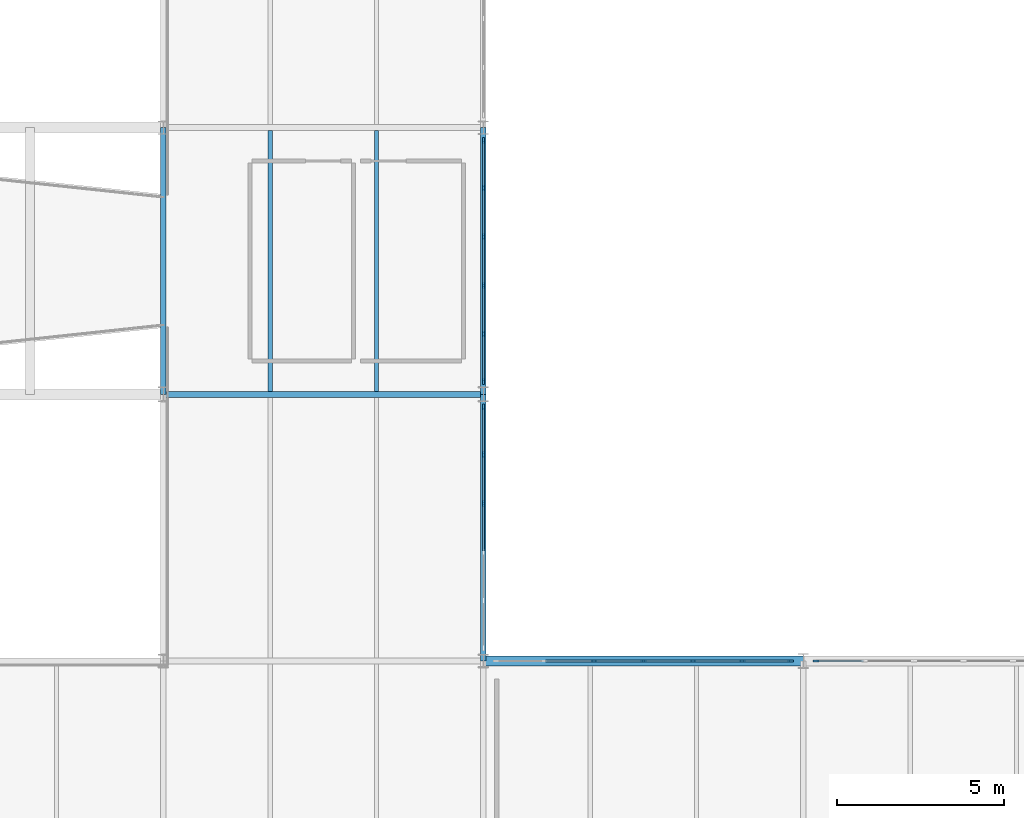
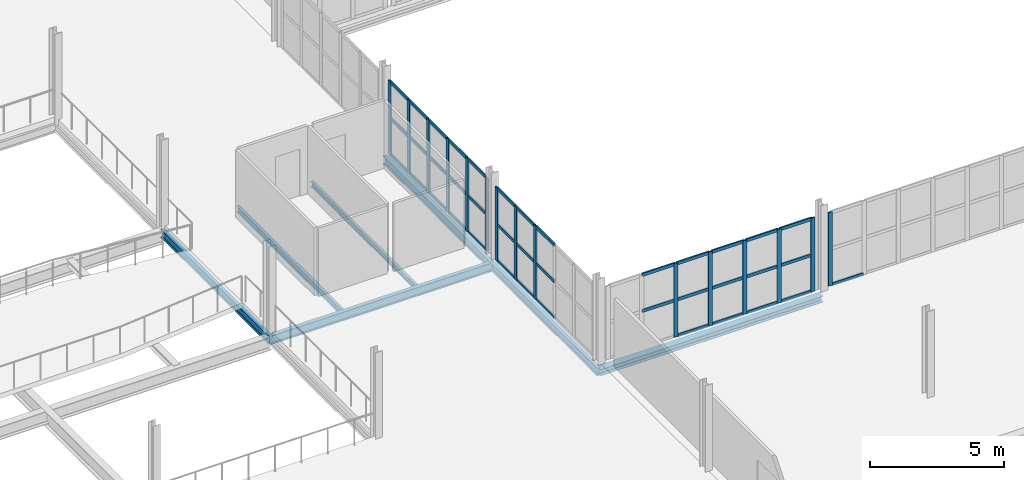
# One storey, part 44 of 85: 54 members, 7 beams, 4 elements without a shape of their own.
"""IFC4 building model written with IfcOpenShell, lengths in metres."""

from ifc_helpers import new_model, si_unit, direction, frame, origin, origin_2d, place, context, subcontext, project, spatial, rectangle, i_section, extrude, material, layer, layer_set, material_profile, profile_set, type_object, element, aggregate, save


model = new_model("IFC4")

# Units and contexts
model_context = context("Model", 3, precision=1e-05, world=origin(), true_north=direction((0.0, 1.0)))
body_context = subcontext(model_context, "Body", "Model", "MODEL_VIEW")
ifc_project = project(units=[si_unit("LENGTHUNIT", "METRE"), si_unit("AREAUNIT", "SQUARE_METRE"), si_unit("VOLUMEUNIT", "CUBIC_METRE"), si_unit("PLANEANGLEUNIT", "RADIAN"), si_unit("MASSUNIT", "GRAM", prefix="KILO")], contexts=[model_context])

# Site, building, storey
site_placement = place(None, origin())
site = spatial("IfcSite", under=ifc_project, at=site_placement, CompositionType="ELEMENT")
building_placement = place(site_placement, origin())
building = spatial("IfcBuilding", under=site, at=building_placement, Name="Alderhovde Museum", CompositionType="ELEMENT")
storey_placement = place(building_placement, frame((0.0, 0.0, 8.699951171875)))
storey = spatial("IfcBuildingStorey", under=building, at=storey_placement, Name="L02", CompositionType="ELEMENT", Elevation=8.699951171875)

# Beams
ifc_material_1 = material(Name="Steel S355J2", Category="steel")
ifc_material_profile_1 = material_profile(ifc_material_1, i_section(OverallWidth=0.169921875, OverallDepth=0.360107421875, WebThickness=0.008056640625, FlangeThickness=0.0126953125, FilletRadius=0.01806640625, at=origin_2d()), Name="IPE 360")
ifc_profile_set_1 = profile_set([ifc_material_profile_1], Name="Steel S355J2")
beam_type_1 = type_object("IfcBeamType", Name="BM-IPE360", PredefinedType="BEAM", material=ifc_profile_set_1)
for number, where, z_axis, x_axis, name in (
    (1, (105.60009765625, 56.0, -0.43994140625), (0.0, 1.0, 0.0), (-1.0, 0.0, 0.0), "L02 Grid Beam X=105.6 (56.0 TO 64.0)"),
    (2, (115.199951171875, 48.0, -0.43994140625), (0.0, 1.0, 0.0), (-1.0, 0.0, 0.0), "L02 Grid Beam X=115.2 (48.0 TO 56.0)"),
    (3, (115.199951171875, 56.0, -0.43994140625), (0.0, 1.0, 0.0), (-1.0, 0.0, 0.0), "L02 Grid Beam X=115.2 (56.0 TO 64.0)"),
):
    element("IfcBeam", number, at=place(storey_placement, frame(where, z_axis=z_axis, x_axis=x_axis)), inside=storey, type_object=beam_type_1, Name=name, PredefinedType="BEAM", context=body_context, shape_type="SweptSolid", body=[
        extrude(i_section(OverallWidth=0.169921875, OverallDepth=0.360107421875, WebThickness=0.008056640625, FlangeThickness=0.0126953125, FilletRadius=0.01806640625, at=origin_2d()), origin(), (0.0, 0.0, 1.0), 8.0),
    ])
ifc_material_2 = material(Name="Steel S355J2", Category="steel")
ifc_material_profile_2 = material_profile(ifc_material_2, i_section(OverallWidth=0.179931640625, OverallDepth=0.39990234375, WebThickness=0.008544921875, FlangeThickness=0.013427734375, FilletRadius=0.02099609375, at=origin_2d()), Name="IPE 400")
ifc_profile_set_2 = profile_set([ifc_material_profile_2], Name="Steel S355J2")
beam_type_2 = type_object("IfcBeamType", Name="BM-IPE400", PredefinedType="BEAM", material=ifc_profile_set_2)
beam_1_placement = place(storey_placement, frame((105.60009765625, 56.0, -0.4599609375), z_axis=(1.0, 0.0, 0.0), x_axis=(0.0, 1.0, 0.0)))
element("IfcBeam", 4, at=beam_1_placement, inside=storey, type_object=beam_type_2, Name="L02 Grid Beam Y=56.0 (105.6 TO 115.2)", PredefinedType="BEAM", context=body_context, shape_type="SweptSolid", body=[
    extrude(i_section(OverallWidth=0.179931640625, OverallDepth=0.39990234375, WebThickness=0.008544921875, FlangeThickness=0.013427734375, FilletRadius=0.02099609375, at=origin_2d()), origin(), (0.0, 0.0, 1.0), 9.599853515625),
])

# Curtain wall, members
ifc_material_3 = material(Name="Triple-Glazed Bronze-Anodised Curtain Wall", Category="glass")
ifc_layer_1 = layer(ifc_material_3, 0.179931640625)
ifc_layer_set_1 = layer_set([ifc_layer_1], Name="Triple-Glazed Bronze-Anodised Curtain Wall")
curtain_wall_type_1 = type_object("IfcCurtainWallType", Name="CW-UNIT-730x336", PredefinedType="USERDEFINED", material=ifc_layer_set_1)
curtain_wall_1_placement = place(storey_placement, origin())
curtain_wall_1 = element("IfcCurtainWall", 5, at=curtain_wall_1_placement, inside=storey, type_object=curtain_wall_type_1, Name="L02 Unitised Curtain Wall 45", ObjectType="UNITISED CURTAIN WALL", PredefinedType="USERDEFINED")
ifc_material_4 = material(Name="Bronze-Anodised Aluminium EN AW-6063-T6", Category="aluminium")
ifc_material_profile_3 = material_profile(ifc_material_4, rectangle(XDim=0.06494140625, YDim=0.179931640625, at=origin_2d()), Name="MULLION 65x180")
ifc_profile_set_3 = profile_set([ifc_material_profile_3], Name="Bronze-Anodised Aluminium EN AW-6063-T6")
member_type_1 = type_object("IfcMemberType", Name="CWM-65x180", PredefinedType="MULLION", material=ifc_profile_set_3)
member_1_placement = place(storey_placement, frame((115.199951171875, 52.72998046875, 0.0), z_axis=(0.0, 0.0, 1.0), x_axis=(-1.0, 0.0, 0.0)))
member_1 = element("IfcMember", 6, at=member_1_placement, type_object=member_type_1, Name="CW14 mullion 4", PredefinedType="MULLION", context=body_context, shape_type="SweptSolid", body=[
    extrude(rectangle(XDim=0.06494140625, YDim=0.179931640625, at=origin_2d()), origin(), (0.0, 0.0, 1.0), 3.360107421875),
])
member_2_placement = place(storey_placement, frame((115.199951171875, 54.18994140625, 0.0), z_axis=(0.0, 0.0, 1.0), x_axis=(-1.0, 0.0, 0.0)))
member_2 = element("IfcMember", 7, at=member_2_placement, type_object=member_type_1, Name="CW14 mullion 5", PredefinedType="MULLION", context=body_context, shape_type="SweptSolid", body=[
    extrude(rectangle(XDim=0.06494140625, YDim=0.179931640625, at=origin_2d()), origin(), (0.0, 0.0, 1.0), 3.360107421875),
])
member_3_placement = place(storey_placement, frame((115.199951171875, 55.617431640625, 0.0), z_axis=(0.0, 0.0, 1.0), x_axis=(-1.0, 0.0, 0.0)))
member_3 = element("IfcMember", 8, at=member_3_placement, type_object=member_type_1, Name="CW14 mullion 6", PredefinedType="MULLION", context=body_context, shape_type="SweptSolid", body=[
    extrude(rectangle(XDim=0.06494140625, YDim=0.179931640625, at=origin_2d()), origin(), (0.0, 0.0, 1.0), 3.360107421875),
])

curtain_wall_2_placement = place(storey_placement, origin())
curtain_wall_2 = element("IfcCurtainWall", 9, at=curtain_wall_2_placement, inside=storey, type_object=curtain_wall_type_1, Name="L02 Unitised Curtain Wall 46", ObjectType="UNITISED CURTAIN WALL", PredefinedType="USERDEFINED")
member_4_placement = place(storey_placement, frame((115.199951171875, 56.382568359375, 0.0), z_axis=(0.0, 0.0, 1.0), x_axis=(-1.0, 0.0, 0.0)))
member_4 = element("IfcMember", 10, at=member_4_placement, type_object=member_type_1, Name="CW14 mullion 1", PredefinedType="MULLION", context=body_context, shape_type="SweptSolid", body=[
    extrude(rectangle(XDim=0.06494140625, YDim=0.179931640625, at=origin_2d()), origin(), (0.0, 0.0, 1.0), 3.360107421875),
])
member_5_placement = place(storey_placement, frame((115.199951171875, 57.81005859375, 0.0), z_axis=(0.0, 0.0, 1.0), x_axis=(-1.0, 0.0, 0.0)))
member_5 = element("IfcMember", 11, at=member_5_placement, type_object=member_type_1, Name="CW14 mullion 2", PredefinedType="MULLION", context=body_context, shape_type="SweptSolid", body=[
    extrude(rectangle(XDim=0.06494140625, YDim=0.179931640625, at=origin_2d()), origin(), (0.0, 0.0, 1.0), 3.360107421875),
])
member_6_placement = place(storey_placement, frame((115.199951171875, 59.27001953125, 0.0), z_axis=(0.0, 0.0, 1.0), x_axis=(-1.0, 0.0, 0.0)))
member_6 = element("IfcMember", 12, at=member_6_placement, type_object=member_type_1, Name="CW14 mullion 3", PredefinedType="MULLION", context=body_context, shape_type="SweptSolid", body=[
    extrude(rectangle(XDim=0.06494140625, YDim=0.179931640625, at=origin_2d()), origin(), (0.0, 0.0, 1.0), 3.360107421875),
])
member_7_placement = place(storey_placement, frame((115.199951171875, 60.72998046875, 0.0), z_axis=(0.0, 0.0, 1.0), x_axis=(-1.0, 0.0, 0.0)))
member_7 = element("IfcMember", 13, at=member_7_placement, type_object=member_type_1, Name="CW14 mullion 4", PredefinedType="MULLION", context=body_context, shape_type="SweptSolid", body=[
    extrude(rectangle(XDim=0.06494140625, YDim=0.179931640625, at=origin_2d()), origin(), (0.0, 0.0, 1.0), 3.360107421875),
])
member_8_placement = place(storey_placement, frame((115.199951171875, 62.18994140625, 0.0), z_axis=(0.0, 0.0, 1.0), x_axis=(-1.0, 0.0, 0.0)))
member_8 = element("IfcMember", 14, at=member_8_placement, type_object=member_type_1, Name="CW14 mullion 5", PredefinedType="MULLION", context=body_context, shape_type="SweptSolid", body=[
    extrude(rectangle(XDim=0.06494140625, YDim=0.179931640625, at=origin_2d()), origin(), (0.0, 0.0, 1.0), 3.360107421875),
])
member_9_placement = place(storey_placement, frame((115.199951171875, 63.617431640625, 0.0), z_axis=(0.0, 0.0, 1.0), x_axis=(-1.0, 0.0, 0.0)))
member_9 = element("IfcMember", 15, at=member_9_placement, type_object=member_type_1, Name="CW14 mullion 6", PredefinedType="MULLION", context=body_context, shape_type="SweptSolid", body=[
    extrude(rectangle(XDim=0.06494140625, YDim=0.179931640625, at=origin_2d()), origin(), (0.0, 0.0, 1.0), 3.360107421875),
])

ifc_material_5 = material(Name="Triple-Glazed Bronze-Anodised Curtain Wall", Category="glass")
ifc_layer_2 = layer(ifc_material_5, 0.179931640625)
ifc_layer_set_2 = layer_set([ifc_layer_2], Name="Triple-Glazed Bronze-Anodised Curtain Wall")
curtain_wall_type_2 = type_object("IfcCurtainWallType", Name="CW-STIC-890x336", PredefinedType="USERDEFINED", material=ifc_layer_set_2)
curtain_wall_3_placement = place(storey_placement, origin())
curtain_wall_3 = element("IfcCurtainWall", 16, at=curtain_wall_3_placement, inside=storey, type_object=curtain_wall_type_2, Name="L02 Stick Curtain Wall 157", ObjectType="STICK CURTAIN WALL", PredefinedType="USERDEFINED")
member_10_placement = place(storey_placement, frame((118.5166015625, 48.0, 0.0), z_axis=(0.0, 0.0, 1.0), x_axis=(0.0, 1.0, 0.0)))
member_10 = element("IfcMember", 17, at=member_10_placement, type_object=member_type_1, Name="CW38 mullion 3", PredefinedType="MULLION", context=body_context, shape_type="SweptSolid", body=[
    extrude(rectangle(XDim=0.06494140625, YDim=0.179931640625, at=origin_2d()), origin(), (0.0, 0.0, 1.0), 3.360107421875),
])
member_11_placement = place(storey_placement, frame((120.0, 48.0, 0.0), z_axis=(0.0, 0.0, 1.0), x_axis=(0.0, 1.0, 0.0)))
member_11 = element("IfcMember", 18, at=member_11_placement, type_object=member_type_1, Name="CW38 mullion 4", PredefinedType="MULLION", context=body_context, shape_type="SweptSolid", body=[
    extrude(rectangle(XDim=0.06494140625, YDim=0.179931640625, at=origin_2d()), origin(), (0.0, 0.0, 1.0), 3.360107421875),
])
member_12_placement = place(storey_placement, frame((121.4833984375, 48.0, 0.0), z_axis=(0.0, 0.0, 1.0), x_axis=(0.0, 1.0, 0.0)))
member_12 = element("IfcMember", 19, at=member_12_placement, type_object=member_type_1, Name="CW38 mullion 5", PredefinedType="MULLION", context=body_context, shape_type="SweptSolid", body=[
    extrude(rectangle(XDim=0.06494140625, YDim=0.179931640625, at=origin_2d()), origin(), (0.0, 0.0, 1.0), 3.360107421875),
])
member_13_placement = place(storey_placement, frame((122.966552734375, 48.0, 0.0), z_axis=(0.0, 0.0, 1.0), x_axis=(0.0, 1.0, 0.0)))
member_13 = element("IfcMember", 20, at=member_13_placement, type_object=member_type_1, Name="CW38 mullion 6", PredefinedType="MULLION", context=body_context, shape_type="SweptSolid", body=[
    extrude(rectangle(XDim=0.06494140625, YDim=0.179931640625, at=origin_2d()), origin(), (0.0, 0.0, 1.0), 3.360107421875),
])
member_14_placement = place(storey_placement, frame((124.41748046875, 48.0, 0.0), z_axis=(0.0, 0.0, 1.0), x_axis=(0.0, 1.0, 0.0)))
member_14 = element("IfcMember", 21, at=member_14_placement, type_object=member_type_1, Name="CW38 mullion 7", PredefinedType="MULLION", context=body_context, shape_type="SweptSolid", body=[
    extrude(rectangle(XDim=0.06494140625, YDim=0.179931640625, at=origin_2d()), origin(), (0.0, 0.0, 1.0), 3.360107421875),
])

# Curtain wall, member
curtain_wall_4_placement = place(storey_placement, origin())
curtain_wall_4 = element("IfcCurtainWall", 22, at=curtain_wall_4_placement, inside=storey, type_object=curtain_wall_type_2, Name="L02 Stick Curtain Wall 160", ObjectType="STICK CURTAIN WALL", PredefinedType="USERDEFINED")
member_15_placement = place(storey_placement, frame((125.1826171875, 48.0, 0.0), z_axis=(0.0, 0.0, 1.0), x_axis=(0.0, 1.0, 0.0)))
member_15 = element("IfcMember", 23, at=member_15_placement, type_object=member_type_1, Name="CW38 mullion 1", PredefinedType="MULLION", context=body_context, shape_type="SweptSolid", body=[
    extrude(rectangle(XDim=0.06494140625, YDim=0.179931640625, at=origin_2d()), origin(), (0.0, 0.0, 1.0), 3.360107421875),
])

# Member
ifc_material_6 = material(Name="Bronze-Anodised Aluminium EN AW-6063-T6", Category="aluminium")
ifc_material_profile_4 = material_profile(ifc_material_6, rectangle(XDim=0.06494140625, YDim=0.139892578125, at=origin_2d()), Name="TRANSOM 65x140")
ifc_profile_set_4 = profile_set([ifc_material_profile_4], Name="Bronze-Anodised Aluminium EN AW-6063-T6")
member_type_2 = type_object("IfcMemberType", Name="CWT-65x140", PredefinedType="USERDEFINED", material=ifc_profile_set_4)
member_16_placement = place(storey_placement, frame((115.199951171875, 51.302490234375, 0.032470703125), z_axis=(0.0, 1.0, 0.0), x_axis=(-1.0, 0.0, 0.0)))
member_16 = element("IfcMember", 24, at=member_16_placement, type_object=member_type_2, Name="CW14 transom 3.1", ObjectType="TRANSOM", PredefinedType="USERDEFINED", context=body_context, shape_type="SweptSolid", body=[
    extrude(rectangle(XDim=0.06494140625, YDim=0.139892578125, at=origin_2d()), origin(), (0.0, 0.0, 1.0), 1.39501953125),
])

member_17_placement = place(storey_placement, frame((115.199951171875, 51.302490234375, 1.679931640625), z_axis=(0.0, 1.0, 0.0), x_axis=(-1.0, 0.0, 0.0)))
member_17 = element("IfcMember", 25, at=member_17_placement, type_object=member_type_2, Name="CW14 transom 3.2", ObjectType="TRANSOM", PredefinedType="USERDEFINED", context=body_context, shape_type="SweptSolid", body=[
    extrude(rectangle(XDim=0.06494140625, YDim=0.139892578125, at=origin_2d()), origin(), (0.0, 0.0, 1.0), 1.39501953125),
])

member_18_placement = place(storey_placement, frame((115.199951171875, 51.302490234375, 3.32763671875), z_axis=(0.0, 1.0, 0.0), x_axis=(-1.0, 0.0, 0.0)))
member_18 = element("IfcMember", 26, at=member_18_placement, type_object=member_type_2, Name="CW14 transom 3.3", ObjectType="TRANSOM", PredefinedType="USERDEFINED", context=body_context, shape_type="SweptSolid", body=[
    extrude(rectangle(XDim=0.06494140625, YDim=0.139892578125, at=origin_2d()), origin(), (0.0, 0.0, 1.0), 1.39501953125),
])

member_19_placement = place(storey_placement, frame((115.199951171875, 52.762451171875, 0.032470703125), z_axis=(0.0, 1.0, 0.0), x_axis=(-1.0, 0.0, 0.0)))
member_19 = element("IfcMember", 27, at=member_19_placement, type_object=member_type_2, Name="CW14 transom 4.1", ObjectType="TRANSOM", PredefinedType="USERDEFINED", context=body_context, shape_type="SweptSolid", body=[
    extrude(rectangle(XDim=0.06494140625, YDim=0.139892578125, at=origin_2d()), origin(), (0.0, 0.0, 1.0), 1.39501953125),
])

member_20_placement = place(storey_placement, frame((115.199951171875, 52.762451171875, 1.679931640625), z_axis=(0.0, 1.0, 0.0), x_axis=(-1.0, 0.0, 0.0)))
member_20 = element("IfcMember", 28, at=member_20_placement, type_object=member_type_2, Name="CW14 transom 4.2", ObjectType="TRANSOM", PredefinedType="USERDEFINED", context=body_context, shape_type="SweptSolid", body=[
    extrude(rectangle(XDim=0.06494140625, YDim=0.139892578125, at=origin_2d()), origin(), (0.0, 0.0, 1.0), 1.39501953125),
])

member_21_placement = place(storey_placement, frame((115.199951171875, 52.762451171875, 3.32763671875), z_axis=(0.0, 1.0, 0.0), x_axis=(-1.0, 0.0, 0.0)))
member_21 = element("IfcMember", 29, at=member_21_placement, type_object=member_type_2, Name="CW14 transom 4.3", ObjectType="TRANSOM", PredefinedType="USERDEFINED", context=body_context, shape_type="SweptSolid", body=[
    extrude(rectangle(XDim=0.06494140625, YDim=0.139892578125, at=origin_2d()), origin(), (0.0, 0.0, 1.0), 1.39501953125),
])

member_22_placement = place(storey_placement, frame((115.199951171875, 54.222412109375, 0.032470703125), z_axis=(0.0, 1.0, 0.0), x_axis=(-1.0, 0.0, 0.0)))
member_22 = element("IfcMember", 30, at=member_22_placement, type_object=member_type_2, Name="CW14 transom 5.1", ObjectType="TRANSOM", PredefinedType="USERDEFINED", context=body_context, shape_type="SweptSolid", body=[
    extrude(rectangle(XDim=0.06494140625, YDim=0.139892578125, at=origin_2d()), origin(), (0.0, 0.0, 1.0), 1.362548828125),
])

member_23_placement = place(storey_placement, frame((115.199951171875, 54.222412109375, 1.679931640625), z_axis=(0.0, 1.0, 0.0), x_axis=(-1.0, 0.0, 0.0)))
member_23 = element("IfcMember", 31, at=member_23_placement, type_object=member_type_2, Name="CW14 transom 5.2", ObjectType="TRANSOM", PredefinedType="USERDEFINED", context=body_context, shape_type="SweptSolid", body=[
    extrude(rectangle(XDim=0.06494140625, YDim=0.139892578125, at=origin_2d()), origin(), (0.0, 0.0, 1.0), 1.362548828125),
])

member_24_placement = place(storey_placement, frame((115.199951171875, 54.222412109375, 3.32763671875), z_axis=(0.0, 1.0, 0.0), x_axis=(-1.0, 0.0, 0.0)))
member_24 = element("IfcMember", 32, at=member_24_placement, type_object=member_type_2, Name="CW14 transom 5.3", ObjectType="TRANSOM", PredefinedType="USERDEFINED", context=body_context, shape_type="SweptSolid", body=[
    extrude(rectangle(XDim=0.06494140625, YDim=0.139892578125, at=origin_2d()), origin(), (0.0, 0.0, 1.0), 1.362548828125),
])

aggregate(curtain_wall_1, [member_1, member_2, member_3, member_16, member_17, member_18, member_19, member_20, member_21, member_22, member_23, member_24])

member_25_placement = place(storey_placement, frame((115.199951171875, 56.4150390625, 0.032470703125), z_axis=(0.0, 1.0, 0.0), x_axis=(-1.0, 0.0, 0.0)))
member_25 = element("IfcMember", 33, at=member_25_placement, type_object=member_type_2, Name="CW14 transom 1.1", ObjectType="TRANSOM", PredefinedType="USERDEFINED", context=body_context, shape_type="SweptSolid", body=[
    extrude(rectangle(XDim=0.06494140625, YDim=0.139892578125, at=origin_2d()), origin(), (0.0, 0.0, 1.0), 1.362548828125),
])

member_26_placement = place(storey_placement, frame((115.199951171875, 56.4150390625, 1.679931640625), z_axis=(0.0, 1.0, 0.0), x_axis=(-1.0, 0.0, 0.0)))
member_26 = element("IfcMember", 34, at=member_26_placement, type_object=member_type_2, Name="CW14 transom 1.2", ObjectType="TRANSOM", PredefinedType="USERDEFINED", context=body_context, shape_type="SweptSolid", body=[
    extrude(rectangle(XDim=0.06494140625, YDim=0.139892578125, at=origin_2d()), origin(), (0.0, 0.0, 1.0), 1.362548828125),
])

member_27_placement = place(storey_placement, frame((115.199951171875, 56.4150390625, 3.32763671875), z_axis=(0.0, 1.0, 0.0), x_axis=(-1.0, 0.0, 0.0)))
member_27 = element("IfcMember", 35, at=member_27_placement, type_object=member_type_2, Name="CW14 transom 1.3", ObjectType="TRANSOM", PredefinedType="USERDEFINED", context=body_context, shape_type="SweptSolid", body=[
    extrude(rectangle(XDim=0.06494140625, YDim=0.139892578125, at=origin_2d()), origin(), (0.0, 0.0, 1.0), 1.362548828125),
])

member_28_placement = place(storey_placement, frame((115.199951171875, 57.842529296875, 0.032470703125), z_axis=(0.0, 1.0, 0.0), x_axis=(-1.0, 0.0, 0.0)))
member_28 = element("IfcMember", 36, at=member_28_placement, type_object=member_type_2, Name="CW14 transom 2.1", ObjectType="TRANSOM", PredefinedType="USERDEFINED", context=body_context, shape_type="SweptSolid", body=[
    extrude(rectangle(XDim=0.06494140625, YDim=0.139892578125, at=origin_2d()), origin(), (0.0, 0.0, 1.0), 1.39501953125),
])

member_29_placement = place(storey_placement, frame((115.199951171875, 57.842529296875, 1.679931640625), z_axis=(0.0, 1.0, 0.0), x_axis=(-1.0, 0.0, 0.0)))
member_29 = element("IfcMember", 37, at=member_29_placement, type_object=member_type_2, Name="CW14 transom 2.2", ObjectType="TRANSOM", PredefinedType="USERDEFINED", context=body_context, shape_type="SweptSolid", body=[
    extrude(rectangle(XDim=0.06494140625, YDim=0.139892578125, at=origin_2d()), origin(), (0.0, 0.0, 1.0), 1.39501953125),
])

member_30_placement = place(storey_placement, frame((115.199951171875, 57.842529296875, 3.32763671875), z_axis=(0.0, 1.0, 0.0), x_axis=(-1.0, 0.0, 0.0)))
member_30 = element("IfcMember", 38, at=member_30_placement, type_object=member_type_2, Name="CW14 transom 2.3", ObjectType="TRANSOM", PredefinedType="USERDEFINED", context=body_context, shape_type="SweptSolid", body=[
    extrude(rectangle(XDim=0.06494140625, YDim=0.139892578125, at=origin_2d()), origin(), (0.0, 0.0, 1.0), 1.39501953125),
])

member_31_placement = place(storey_placement, frame((115.199951171875, 59.302490234375, 0.032470703125), z_axis=(0.0, 1.0, 0.0), x_axis=(-1.0, 0.0, 0.0)))
member_31 = element("IfcMember", 39, at=member_31_placement, type_object=member_type_2, Name="CW14 transom 3.1", ObjectType="TRANSOM", PredefinedType="USERDEFINED", context=body_context, shape_type="SweptSolid", body=[
    extrude(rectangle(XDim=0.06494140625, YDim=0.139892578125, at=origin_2d()), origin(), (0.0, 0.0, 1.0), 1.39501953125),
])

member_32_placement = place(storey_placement, frame((115.199951171875, 59.302490234375, 1.679931640625), z_axis=(0.0, 1.0, 0.0), x_axis=(-1.0, 0.0, 0.0)))
member_32 = element("IfcMember", 40, at=member_32_placement, type_object=member_type_2, Name="CW14 transom 3.2", ObjectType="TRANSOM", PredefinedType="USERDEFINED", context=body_context, shape_type="SweptSolid", body=[
    extrude(rectangle(XDim=0.06494140625, YDim=0.139892578125, at=origin_2d()), origin(), (0.0, 0.0, 1.0), 1.39501953125),
])

member_33_placement = place(storey_placement, frame((115.199951171875, 59.302490234375, 3.32763671875), z_axis=(0.0, 1.0, 0.0), x_axis=(-1.0, 0.0, 0.0)))
member_33 = element("IfcMember", 41, at=member_33_placement, type_object=member_type_2, Name="CW14 transom 3.3", ObjectType="TRANSOM", PredefinedType="USERDEFINED", context=body_context, shape_type="SweptSolid", body=[
    extrude(rectangle(XDim=0.06494140625, YDim=0.139892578125, at=origin_2d()), origin(), (0.0, 0.0, 1.0), 1.39501953125),
])

member_34_placement = place(storey_placement, frame((115.199951171875, 60.762451171875, 0.032470703125), z_axis=(0.0, 1.0, 0.0), x_axis=(-1.0, 0.0, 0.0)))
member_34 = element("IfcMember", 42, at=member_34_placement, type_object=member_type_2, Name="CW14 transom 4.1", ObjectType="TRANSOM", PredefinedType="USERDEFINED", context=body_context, shape_type="SweptSolid", body=[
    extrude(rectangle(XDim=0.06494140625, YDim=0.139892578125, at=origin_2d()), origin(), (0.0, 0.0, 1.0), 1.39501953125),
])

member_35_placement = place(storey_placement, frame((115.199951171875, 60.762451171875, 1.679931640625), z_axis=(0.0, 1.0, 0.0), x_axis=(-1.0, 0.0, 0.0)))
member_35 = element("IfcMember", 43, at=member_35_placement, type_object=member_type_2, Name="CW14 transom 4.2", ObjectType="TRANSOM", PredefinedType="USERDEFINED", context=body_context, shape_type="SweptSolid", body=[
    extrude(rectangle(XDim=0.06494140625, YDim=0.139892578125, at=origin_2d()), origin(), (0.0, 0.0, 1.0), 1.39501953125),
])

member_36_placement = place(storey_placement, frame((115.199951171875, 60.762451171875, 3.32763671875), z_axis=(0.0, 1.0, 0.0), x_axis=(-1.0, 0.0, 0.0)))
member_36 = element("IfcMember", 44, at=member_36_placement, type_object=member_type_2, Name="CW14 transom 4.3", ObjectType="TRANSOM", PredefinedType="USERDEFINED", context=body_context, shape_type="SweptSolid", body=[
    extrude(rectangle(XDim=0.06494140625, YDim=0.139892578125, at=origin_2d()), origin(), (0.0, 0.0, 1.0), 1.39501953125),
])

member_37_placement = place(storey_placement, frame((115.199951171875, 62.222412109375, 0.032470703125), z_axis=(0.0, 1.0, 0.0), x_axis=(-1.0, 0.0, 0.0)))
member_37 = element("IfcMember", 45, at=member_37_placement, type_object=member_type_2, Name="CW14 transom 5.1", ObjectType="TRANSOM", PredefinedType="USERDEFINED", context=body_context, shape_type="SweptSolid", body=[
    extrude(rectangle(XDim=0.06494140625, YDim=0.139892578125, at=origin_2d()), origin(), (0.0, 0.0, 1.0), 1.362548828125),
])

member_38_placement = place(storey_placement, frame((115.199951171875, 62.222412109375, 1.679931640625), z_axis=(0.0, 1.0, 0.0), x_axis=(-1.0, 0.0, 0.0)))
member_38 = element("IfcMember", 46, at=member_38_placement, type_object=member_type_2, Name="CW14 transom 5.2", ObjectType="TRANSOM", PredefinedType="USERDEFINED", context=body_context, shape_type="SweptSolid", body=[
    extrude(rectangle(XDim=0.06494140625, YDim=0.139892578125, at=origin_2d()), origin(), (0.0, 0.0, 1.0), 1.362548828125),
])

member_39_placement = place(storey_placement, frame((115.199951171875, 62.222412109375, 3.32763671875), z_axis=(0.0, 1.0, 0.0), x_axis=(-1.0, 0.0, 0.0)))
member_39 = element("IfcMember", 47, at=member_39_placement, type_object=member_type_2, Name="CW14 transom 5.3", ObjectType="TRANSOM", PredefinedType="USERDEFINED", context=body_context, shape_type="SweptSolid", body=[
    extrude(rectangle(XDim=0.06494140625, YDim=0.139892578125, at=origin_2d()), origin(), (0.0, 0.0, 1.0), 1.362548828125),
])

aggregate(curtain_wall_2, [member_4, member_5, member_6, member_7, member_8, member_9, member_25, member_26, member_27, member_28, member_29, member_30, member_31, member_32, member_33, member_34, member_35, member_36, member_37, member_38, member_39])

member_40_placement = place(storey_placement, frame((117.06591796875, 48.0, 1.679931640625), z_axis=(1.0, 0.0, 0.0), x_axis=(0.0, 1.0, 0.0)))
member_40 = element("IfcMember", 48, at=member_40_placement, type_object=member_type_2, Name="CW38 transom 2.2", ObjectType="TRANSOM", PredefinedType="USERDEFINED", context=body_context, shape_type="SweptSolid", body=[
    extrude(rectangle(XDim=0.06494140625, YDim=0.139892578125, at=origin_2d()), origin(), (0.0, 0.0, 1.0), 1.418212890625),
])

member_41_placement = place(storey_placement, frame((117.06591796875, 48.0, 3.32763671875), z_axis=(1.0, 0.0, 0.0), x_axis=(0.0, 1.0, 0.0)))
member_41 = element("IfcMember", 49, at=member_41_placement, type_object=member_type_2, Name="CW38 transom 2.3", ObjectType="TRANSOM", PredefinedType="USERDEFINED", context=body_context, shape_type="SweptSolid", body=[
    extrude(rectangle(XDim=0.06494140625, YDim=0.139892578125, at=origin_2d()), origin(), (0.0, 0.0, 1.0), 1.418212890625),
])

member_42_placement = place(storey_placement, frame((118.549072265625, 48.0, 0.032470703125), z_axis=(1.0, 0.0, 0.0), x_axis=(0.0, 1.0, 0.0)))
member_42 = element("IfcMember", 50, at=member_42_placement, type_object=member_type_2, Name="CW38 transom 3.1", ObjectType="TRANSOM", PredefinedType="USERDEFINED", context=body_context, shape_type="SweptSolid", body=[
    extrude(rectangle(XDim=0.06494140625, YDim=0.139892578125, at=origin_2d()), origin(), (0.0, 0.0, 1.0), 1.41845703125),
])

member_43_placement = place(storey_placement, frame((118.549072265625, 48.0, 1.679931640625), z_axis=(1.0, 0.0, 0.0), x_axis=(0.0, 1.0, 0.0)))
member_43 = element("IfcMember", 51, at=member_43_placement, type_object=member_type_2, Name="CW38 transom 3.2", ObjectType="TRANSOM", PredefinedType="USERDEFINED", context=body_context, shape_type="SweptSolid", body=[
    extrude(rectangle(XDim=0.06494140625, YDim=0.139892578125, at=origin_2d()), origin(), (0.0, 0.0, 1.0), 1.41845703125),
])

member_44_placement = place(storey_placement, frame((118.549072265625, 48.0, 3.32763671875), z_axis=(1.0, 0.0, 0.0), x_axis=(0.0, 1.0, 0.0)))
member_44 = element("IfcMember", 52, at=member_44_placement, type_object=member_type_2, Name="CW38 transom 3.3", ObjectType="TRANSOM", PredefinedType="USERDEFINED", context=body_context, shape_type="SweptSolid", body=[
    extrude(rectangle(XDim=0.06494140625, YDim=0.139892578125, at=origin_2d()), origin(), (0.0, 0.0, 1.0), 1.41845703125),
])

member_45_placement = place(storey_placement, frame((120.032470703125, 48.0, 0.032470703125), z_axis=(1.0, 0.0, 0.0), x_axis=(0.0, 1.0, 0.0)))
member_45 = element("IfcMember", 53, at=member_45_placement, type_object=member_type_2, Name="CW38 transom 4.1", ObjectType="TRANSOM", PredefinedType="USERDEFINED", context=body_context, shape_type="SweptSolid", body=[
    extrude(rectangle(XDim=0.06494140625, YDim=0.139892578125, at=origin_2d()), origin(), (0.0, 0.0, 1.0), 1.41845703125),
])

member_46_placement = place(storey_placement, frame((120.032470703125, 48.0, 1.679931640625), z_axis=(1.0, 0.0, 0.0), x_axis=(0.0, 1.0, 0.0)))
member_46 = element("IfcMember", 54, at=member_46_placement, type_object=member_type_2, Name="CW38 transom 4.2", ObjectType="TRANSOM", PredefinedType="USERDEFINED", context=body_context, shape_type="SweptSolid", body=[
    extrude(rectangle(XDim=0.06494140625, YDim=0.139892578125, at=origin_2d()), origin(), (0.0, 0.0, 1.0), 1.41845703125),
])

member_47_placement = place(storey_placement, frame((120.032470703125, 48.0, 3.32763671875), z_axis=(1.0, 0.0, 0.0), x_axis=(0.0, 1.0, 0.0)))
member_47 = element("IfcMember", 55, at=member_47_placement, type_object=member_type_2, Name="CW38 transom 4.3", ObjectType="TRANSOM", PredefinedType="USERDEFINED", context=body_context, shape_type="SweptSolid", body=[
    extrude(rectangle(XDim=0.06494140625, YDim=0.139892578125, at=origin_2d()), origin(), (0.0, 0.0, 1.0), 1.41845703125),
])

member_48_placement = place(storey_placement, frame((121.515869140625, 48.0, 0.032470703125), z_axis=(1.0, 0.0, 0.0), x_axis=(0.0, 1.0, 0.0)))
member_48 = element("IfcMember", 56, at=member_48_placement, type_object=member_type_2, Name="CW38 transom 5.1", ObjectType="TRANSOM", PredefinedType="USERDEFINED", context=body_context, shape_type="SweptSolid", body=[
    extrude(rectangle(XDim=0.06494140625, YDim=0.139892578125, at=origin_2d()), origin(), (0.0, 0.0, 1.0), 1.418212890625),
])

member_49_placement = place(storey_placement, frame((121.515869140625, 48.0, 1.679931640625), z_axis=(1.0, 0.0, 0.0), x_axis=(0.0, 1.0, 0.0)))
member_49 = element("IfcMember", 57, at=member_49_placement, type_object=member_type_2, Name="CW38 transom 5.2", ObjectType="TRANSOM", PredefinedType="USERDEFINED", context=body_context, shape_type="SweptSolid", body=[
    extrude(rectangle(XDim=0.06494140625, YDim=0.139892578125, at=origin_2d()), origin(), (0.0, 0.0, 1.0), 1.418212890625),
])

member_50_placement = place(storey_placement, frame((121.515869140625, 48.0, 3.32763671875), z_axis=(1.0, 0.0, 0.0), x_axis=(0.0, 1.0, 0.0)))
member_50 = element("IfcMember", 58, at=member_50_placement, type_object=member_type_2, Name="CW38 transom 5.3", ObjectType="TRANSOM", PredefinedType="USERDEFINED", context=body_context, shape_type="SweptSolid", body=[
    extrude(rectangle(XDim=0.06494140625, YDim=0.139892578125, at=origin_2d()), origin(), (0.0, 0.0, 1.0), 1.418212890625),
])

member_51_placement = place(storey_placement, frame((122.999267578125, 48.0, 0.032470703125), z_axis=(1.0, 0.0, 0.0), x_axis=(0.0, 1.0, 0.0)))
member_51 = element("IfcMember", 59, at=member_51_placement, type_object=member_type_2, Name="CW38 transom 6.1", ObjectType="TRANSOM", PredefinedType="USERDEFINED", context=body_context, shape_type="SweptSolid", body=[
    extrude(rectangle(XDim=0.06494140625, YDim=0.139892578125, at=origin_2d()), origin(), (0.0, 0.0, 1.0), 1.3857421875),
])

member_52_placement = place(storey_placement, frame((122.999267578125, 48.0, 1.679931640625), z_axis=(1.0, 0.0, 0.0), x_axis=(0.0, 1.0, 0.0)))
member_52 = element("IfcMember", 60, at=member_52_placement, type_object=member_type_2, Name="CW38 transom 6.2", ObjectType="TRANSOM", PredefinedType="USERDEFINED", context=body_context, shape_type="SweptSolid", body=[
    extrude(rectangle(XDim=0.06494140625, YDim=0.139892578125, at=origin_2d()), origin(), (0.0, 0.0, 1.0), 1.3857421875),
])

member_53_placement = place(storey_placement, frame((122.999267578125, 48.0, 3.32763671875), z_axis=(1.0, 0.0, 0.0), x_axis=(0.0, 1.0, 0.0)))
member_53 = element("IfcMember", 61, at=member_53_placement, type_object=member_type_2, Name="CW38 transom 6.3", ObjectType="TRANSOM", PredefinedType="USERDEFINED", context=body_context, shape_type="SweptSolid", body=[
    extrude(rectangle(XDim=0.06494140625, YDim=0.139892578125, at=origin_2d()), origin(), (0.0, 0.0, 1.0), 1.3857421875),
])

aggregate(curtain_wall_3, [member_10, member_11, member_12, member_13, member_14, member_40, member_41, member_42, member_43, member_44, member_45, member_46, member_47, member_48, member_49, member_50, member_51, member_52, member_53])

member_54_placement = place(storey_placement, frame((125.215087890625, 48.0, 0.032470703125), z_axis=(1.0, 0.0, 0.0), x_axis=(0.0, 1.0, 0.0)))
member_54 = element("IfcMember", 62, at=member_54_placement, type_object=member_type_2, Name="CW38 transom 1.1", ObjectType="TRANSOM", PredefinedType="USERDEFINED", context=body_context, shape_type="SweptSolid", body=[
    extrude(rectangle(XDim=0.06494140625, YDim=0.139892578125, at=origin_2d()), origin(), (0.0, 0.0, 1.0), 1.3857421875),
])

aggregate(curtain_wall_4, [member_15, member_54])

# Beams
ifc_material_7 = material(Name="Steel S355J2", Category="steel")
ifc_material_profile_5 = material_profile(ifc_material_7, i_section(OverallWidth=0.1201171875, OverallDepth=0.239990234375, WebThickness=0.006103515625, FlangeThickness=0.009765625, FilletRadius=0.014892578125, at=origin_2d()), Name="IPE 240")
ifc_profile_set_5 = profile_set([ifc_material_profile_5], Name="Steel S355J2")
beam_type_3 = type_object("IfcBeamType", Name="JST-IPE240", PredefinedType="JOIST", material=ifc_profile_set_5)
beam_2_placement = place(storey_placement, frame((112.0, 56.090087890625, -0.3798828125), z_axis=(0.0, 1.0, 0.0), x_axis=(-1.0, 0.0, 0.0)))
element("IfcBeam", 63, at=beam_2_placement, inside=storey, type_object=beam_type_3, Name="L02 Composite Joist X=112.0 (56.0 TO 64.0)", PredefinedType="JOIST", context=body_context, shape_type="SweptSolid", body=[
    extrude(i_section(OverallWidth=0.1201171875, OverallDepth=0.239990234375, WebThickness=0.006103515625, FlangeThickness=0.009765625, FilletRadius=0.014892578125, at=origin_2d()), origin(), (0.0, 0.0, 1.0), 7.81982421875),
])
ifc_material_8 = material(Name="Steel S355J2", Category="steel")
ifc_material_profile_6 = material_profile(ifc_material_8, i_section(OverallWidth=0.135009765625, OverallDepth=0.27001953125, WebThickness=0.006591796875, FlangeThickness=0.01025390625, FilletRadius=0.014892578125, at=origin_2d()), Name="IPE 270")
ifc_profile_set_6 = profile_set([ifc_material_profile_6], Name="Steel S355J2")
beam_type_4 = type_object("IfcBeamType", Name="JST-IPE270", PredefinedType="JOIST", material=ifc_profile_set_6)
beam_3_placement = place(storey_placement, frame((108.800048828125, 56.090087890625, -0.39501953125), z_axis=(0.0, 1.0, 0.0), x_axis=(-1.0, 0.0, 0.0)))
element("IfcBeam", 64, at=beam_3_placement, inside=storey, type_object=beam_type_4, Name="L02 Composite Joist X=108.8 (56.0 TO 64.0)", PredefinedType="JOIST", context=body_context, shape_type="SweptSolid", body=[
    extrude(i_section(OverallWidth=0.135009765625, OverallDepth=0.27001953125, WebThickness=0.006591796875, FlangeThickness=0.01025390625, FilletRadius=0.014892578125, at=origin_2d()), origin(), (0.0, 0.0, 1.0), 7.81982421875),
])
ifc_material_9 = material(Name="Steel S355J2", Category="steel")
ifc_material_profile_7 = material_profile(ifc_material_9, i_section(OverallWidth=0.300048828125, OverallDepth=0.2900390625, WebThickness=0.008544921875, FlangeThickness=0.013916015625, FilletRadius=0.027099609375, at=origin_2d()), Name="HEA 300")
ifc_profile_set_7 = profile_set([ifc_material_profile_7], Name="Steel S355J2")
beam_type_5 = type_object("IfcBeamType", Name="SPD-HEA300", PredefinedType="SPANDREL", material=ifc_profile_set_7)
beam_4_placement = place(storey_placement, frame((115.199951171875, 48.0, -0.405029296875), z_axis=(1.0, 0.0, 0.0), x_axis=(0.0, 1.0, 0.0)))
element("IfcBeam", 65, at=beam_4_placement, inside=storey, type_object=beam_type_5, Name="L02 Grid Beam Y=48.0 (115.2 TO 124.8)", PredefinedType="SPANDREL", context=body_context, shape_type="SweptSolid", body=[
    extrude(i_section(OverallWidth=0.300048828125, OverallDepth=0.2900390625, WebThickness=0.008544921875, FlangeThickness=0.013916015625, FilletRadius=0.027099609375, at=origin_2d()), origin(), (0.0, 0.0, 1.0), 9.60009765625),
])

save(model, "model.ifc")
